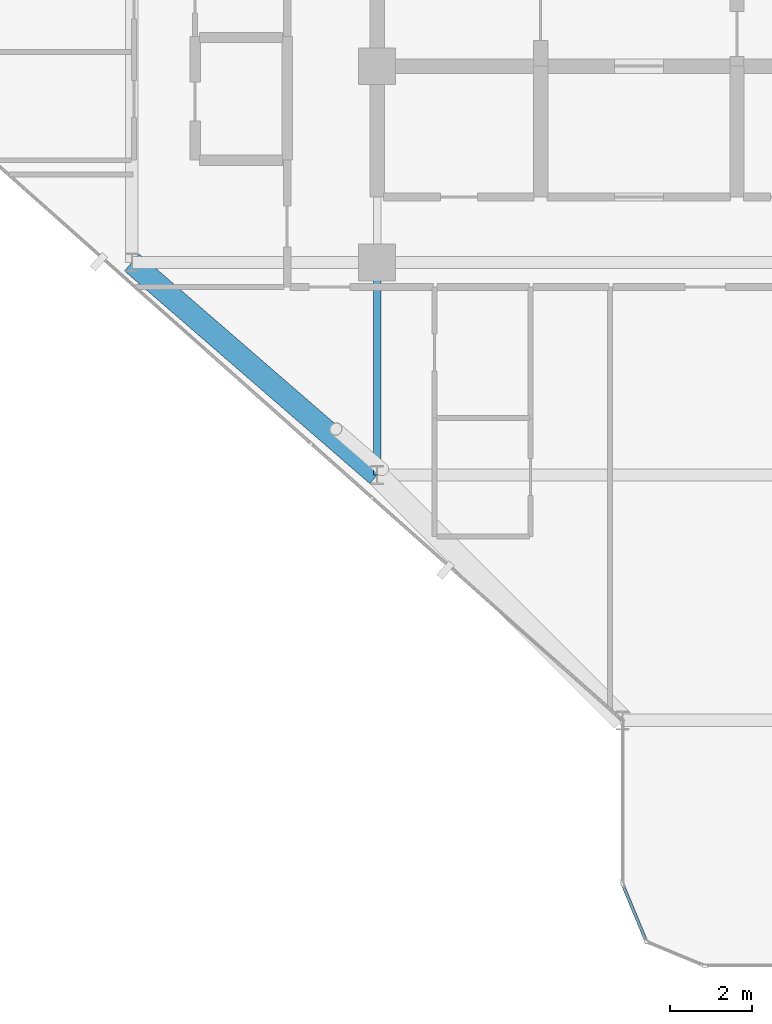
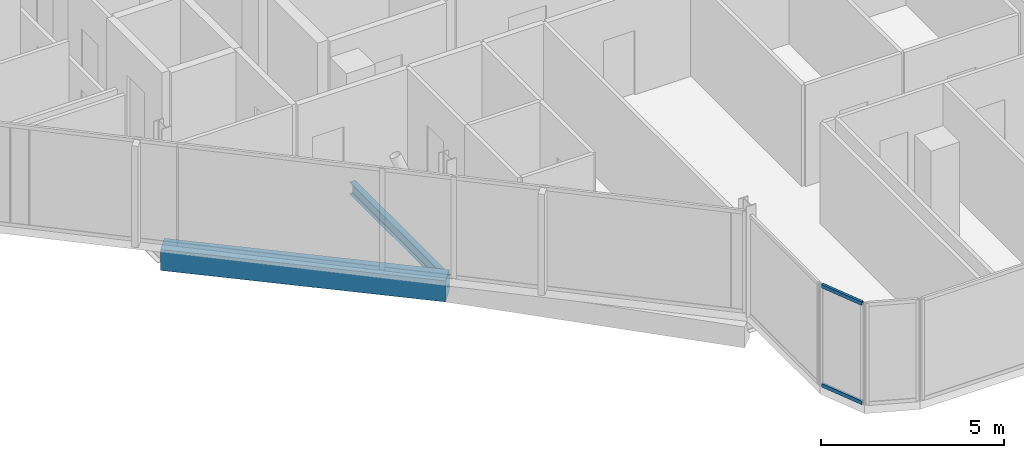
# One storey, part 5 of 29: 2 beams, 2 members, 1 element without a shape of its own.
"""IFC4 building model written with IfcOpenShell, lengths in metres."""

from ifc_helpers import new_model, si_unit, direction, frame, origin, origin_2d, place, context, subcontext, project, spatial, rectangle, hollow_rectangle, i_section, extrude, material, layer, layer_set, material_profile, profile_set, type_object, element, aggregate, save


model = new_model("IFC4")

# Units and contexts
model_context = context("Model", 3, precision=1e-05, world=origin(), true_north=direction((0.0, 1.0)))
body_context = subcontext(model_context, "Body", "Model", "MODEL_VIEW")
ifc_project = project(units=[si_unit("LENGTHUNIT", "METRE"), si_unit("AREAUNIT", "SQUARE_METRE"), si_unit("VOLUMEUNIT", "CUBIC_METRE"), si_unit("PLANEANGLEUNIT", "RADIAN"), si_unit("MASSUNIT", "GRAM", prefix="KILO")], contexts=[model_context])

# Site, building, storey
site_placement = place(None, origin())
site = spatial("IfcSite", under=ifc_project, at=site_placement, CompositionType="ELEMENT")
building_placement = place(site_placement, origin())
building = spatial("IfcBuilding", under=site, at=building_placement, Name="Keshet Zoharim Tower", CompositionType="ELEMENT")
storey_placement = place(building_placement, frame((0.0, 0.0, 180.199951171875)))
storey = spatial("IfcBuildingStorey", under=building, at=storey_placement, Name="L44", CompositionType="ELEMENT", Elevation=180.199951171875)

# Beams
ifc_material_1 = material(Name="Steel S355", Category="steel")
ifc_material_profile_1 = material_profile(ifc_material_1, i_section(OverallWidth=0.179931640625, OverallDepth=0.39990234375, WebThickness=0.008544921875, FlangeThickness=0.013427734375, FilletRadius=0.02099609375, at=origin_2d()), Name="IPE400")
ifc_profile_set_1 = profile_set([ifc_material_profile_1], Name="Steel S355")
beam_type_1 = type_object("IfcBeamType", Name="BM-PRI-IP400", PredefinedType="BEAM", material=ifc_profile_set_1)
beam_1_placement = place(storey_placement, frame((15.0, 12.699951171875, -0.510009765625), z_axis=(0.0, 1.0, 0.0), x_axis=(-1.0, 0.0, 0.0)))
element("IfcBeam", 1, at=beam_1_placement, inside=storey, type_object=beam_type_1, Name="L44 Primary Girder Y-002", PredefinedType="BEAM", context=body_context, shape_type="SweptSolid", body=[
    extrude(i_section(OverallWidth=0.179931640625, OverallDepth=0.39990234375, WebThickness=0.008544921875, FlangeThickness=0.013427734375, FilletRadius=0.02099609375, at=origin_2d()), origin(), (0.0, 0.0, 1.0), 5.199951171875),
])
ifc_material_2 = material(Name="Concrete C50/60", Category="concrete")
ifc_material_profile_2 = material_profile(ifc_material_2, rectangle(XDim=0.550048828125, YDim=0.699951171875, at=origin_2d()), Name="RC700x550")
ifc_profile_set_2 = profile_set([ifc_material_profile_2], Name="Concrete C50/60")
beam_type_2 = type_object("IfcBeamType", Name="BM-SPN-700", PredefinedType="SPANDREL", material=ifc_profile_set_2)
beam_2_placement = place(storey_placement, frame((9.0, 17.89990234375, -0.659912109375), z_axis=(0.755692126483, -0.654927026447, 0.0), x_axis=(0.654927026447, 0.755692126483, 0.0)))
element("IfcBeam", 2, at=beam_2_placement, inside=storey, type_object=beam_type_2, Name="L44 Perimeter Spandrel Beam 02", PredefinedType="SPANDREL", context=body_context, shape_type="SweptSolid", body=[
    extrude(rectangle(XDim=0.550048828125, YDim=0.699951171875, at=origin_2d()), origin(), (0.0, 0.0, 1.0), 7.939697265625),
])

# Curtain wall, members
ifc_material_3 = material(Name="Aluminium 6063-T6", Category="aluminium")
ifc_layer = layer(ifc_material_3, 0.139892578125)
ifc_layer_set = layer_set([ifc_layer], Name="Aluminium 6063-T6")
curtain_wall_type = type_object("IfcCurtainWallType", Name="CW-SYS-05", PredefinedType="NOTDEFINED", material=ifc_layer_set)
curtain_wall_placement = place(storey_placement, origin())
curtain_wall = element("IfcCurtainWall", 3, at=curtain_wall_placement, inside=storey, type_object=curtain_wall_type, Name="L44 Unitised Curtain Wall 08", PredefinedType="NOTDEFINED")
ifc_material_profile_3 = material_profile(ifc_material_3, hollow_rectangle(XDim=0.074951171875, YDim=0.1201171875, WallThickness=0.00390625, at=origin_2d()), Name="TRN-75x120")
ifc_profile_set_3 = profile_set([ifc_material_profile_3], Name="Aluminium 6063-T6")
member_type = type_object("IfcMemberType", Name="CWT-T12", PredefinedType="USERDEFINED", material=ifc_profile_set_3)
member_1_placement = place(storey_placement, frame((21.55908203125, 1.3505859375, 0.03515625), z_axis=(-0.382744609247, 0.923854189844, 0.0), x_axis=(-0.923854189844, -0.382744609247, 0.0)))
member_1 = element("IfcMember", 4, at=member_1_placement, type_object=member_type, Name="CW-05 transom 1.1", ObjectType="TRANSOM", PredefinedType="USERDEFINED", context=body_context, shape_type="SweptSolid", body=[
    extrude(hollow_rectangle(XDim=0.074951171875, YDim=0.1201171875, WallThickness=0.00390625, at=origin_2d()), origin(), (0.0, 0.0, 1.0), 1.390625),
])
member_2_placement = place(storey_placement, frame((21.55908203125, 1.3505859375, 3.344970703125), z_axis=(-0.382744609247, 0.923854189844, 0.0), x_axis=(-0.923854189844, -0.382744609247, 0.0)))
member_2 = element("IfcMember", 5, at=member_2_placement, type_object=member_type, Name="CW-05 transom 1.2", ObjectType="TRANSOM", PredefinedType="USERDEFINED", context=body_context, shape_type="SweptSolid", body=[
    extrude(hollow_rectangle(XDim=0.074951171875, YDim=0.1201171875, WallThickness=0.00390625, at=origin_2d()), origin(), (0.0, 0.0, 1.0), 1.390625),
])
aggregate(curtain_wall, [member_1, member_2])

save(model, "model.ifc")
